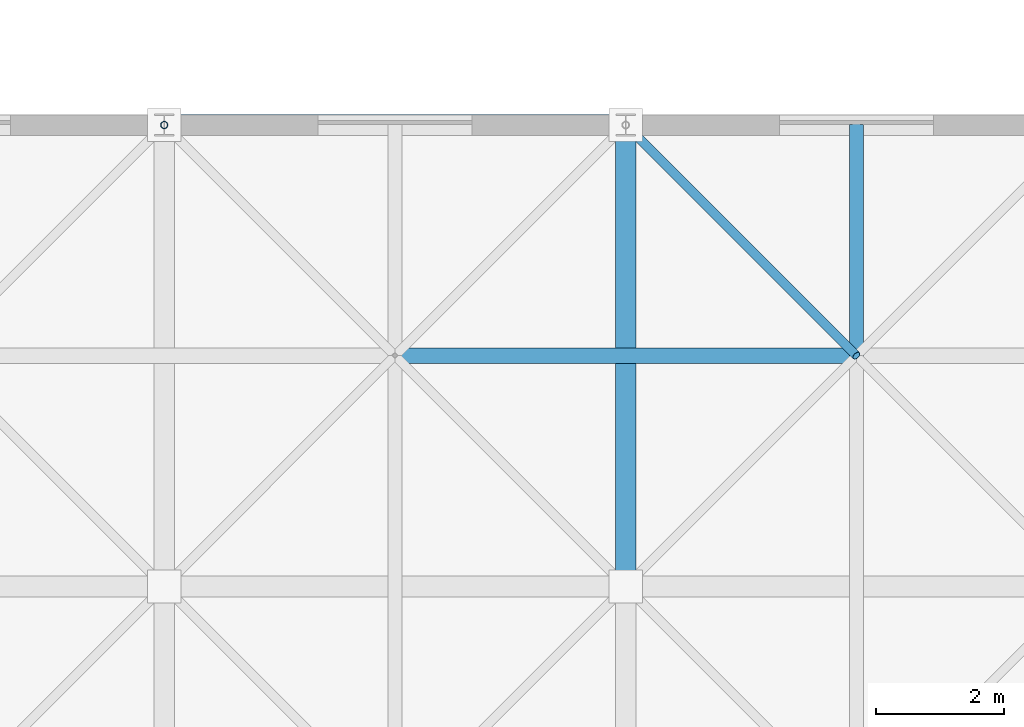
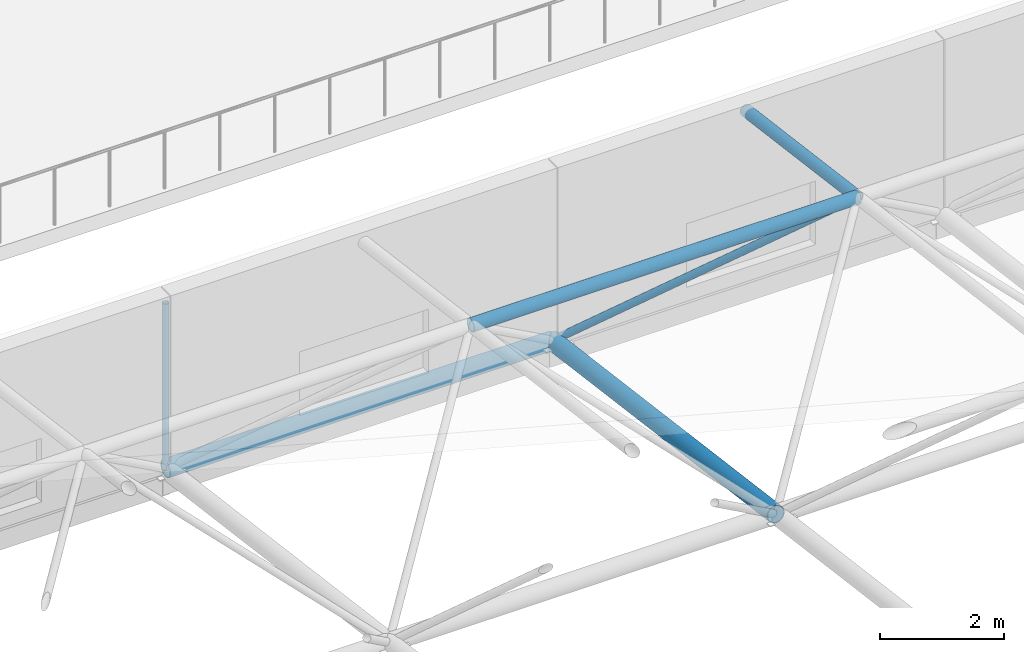
# One storey, part 57 of 103: 6 members.
"""IFC4 building model written with IfcOpenShell, lengths in metres."""

from ifc_helpers import new_model, si_unit, direction, frame, origin, origin_2d, place, context, subcontext, project, spatial, hollow_circle, extrude, material, material_profile, profile_set, type_object, element, save


model = new_model("IFC4")

# Units and contexts
model_context = context("Model", 3, precision=1e-05, world=origin(), true_north=direction((0.0, 1.0)))
body_context = subcontext(model_context, "Body", "Model", "MODEL_VIEW")
ifc_project = project(units=[si_unit("LENGTHUNIT", "METRE"), si_unit("AREAUNIT", "SQUARE_METRE"), si_unit("VOLUMEUNIT", "CUBIC_METRE"), si_unit("PLANEANGLEUNIT", "RADIAN"), si_unit("MASSUNIT", "GRAM", prefix="KILO")], contexts=[model_context])

# Site, building, storey
site_placement = place(None, origin())
site = spatial("IfcSite", under=ifc_project, at=site_placement, CompositionType="ELEMENT")
building_placement = place(site_placement, origin())
building = spatial("IfcBuilding", under=site, at=building_placement, Name="Thalmaran Polytechnic", CompositionType="ELEMENT")
storey_placement = place(building_placement, frame((0.0, 0.0, 14.39990234375)))
storey = spatial("IfcBuildingStorey", under=building, at=storey_placement, Name="L03", CompositionType="ELEMENT", Elevation=14.39990234375)

# Members
ifc_material = material(Name="Steel S355", Category="steel")
ifc_material_profile_1 = material_profile(ifc_material, hollow_circle(Radius=0.161865234375, WallThickness=0.012451171875, at=origin_2d()), Name="CHS 323.9x12.5")
ifc_profile_set_1 = profile_set([ifc_material_profile_1], Name="Steel S355")
member_type_1 = type_object("IfcMemberType", Name="MB-SFC0", PredefinedType="CHORD", material=ifc_profile_set_1)
member_1_placement = place(storey_placement, frame((129.60009765625, 50.39990234375, 0.380126953125), z_axis=(1.0, 0.0, 0.0), x_axis=(0.0, 1.0, 0.0)))
element("IfcMember", 1, at=member_1_placement, inside=storey, type_object=member_type_1, Name="Space-Frame Bottom Chord X (3,8)", PredefinedType="CHORD", context=body_context, shape_type="SweptSolid", body=[
    extrude(hollow_circle(Radius=0.161865234375, WallThickness=0.012451171875, at=origin_2d()), origin(), (0.0, 0.0, 1.0), 7.199951171875),
])
ifc_material_profile_2 = material_profile(ifc_material, hollow_circle(Radius=0.122314453125, WallThickness=0.010009765625, at=origin_2d()), Name="CHS 244.5x10.0")
ifc_profile_set_2 = profile_set([ifc_material_profile_2], Name="Steel S355")
member_type_2 = type_object("IfcMemberType", Name="MB-SFC1", PredefinedType="CHORD", material=ifc_profile_set_2)
member_2_placement = place(storey_placement, frame((133.199951171875, 46.800048828125, 4.1240234375), z_axis=(1.0, 0.0, 0.0), x_axis=(0.0, 1.0, 0.0)))
element("IfcMember", 2, at=member_2_placement, inside=storey, type_object=member_type_2, Name="Space-Frame Top Chord X (4,8)", PredefinedType="CHORD", context=body_context, shape_type="SweptSolid", body=[
    extrude(hollow_circle(Radius=0.122314453125, WallThickness=0.010009765625, at=origin_2d()), origin(), (0.0, 0.0, 1.0), 7.199951171875),
])
ifc_material_profile_3 = material_profile(ifc_material, hollow_circle(Radius=0.109619140625, WallThickness=0.010009765625, at=origin_2d()), Name="CHS 219.1x10.0")
ifc_profile_set_3 = profile_set([ifc_material_profile_3], Name="Steel S355")
member_type_3 = type_object("IfcMemberType", Name="MB-SFC2", PredefinedType="CHORD", material=ifc_profile_set_3)
member_3_placement = place(storey_placement, frame((140.39990234375, 46.800048828125, 4.1240234375), z_axis=(0.0, 0.99144674145, -0.130511910828), x_axis=(-1.0, 0.0, 0.0)))
element("IfcMember", 3, at=member_3_placement, inside=storey, type_object=member_type_3, Name="Space-Frame Top Chord Y (5,8)", PredefinedType="CHORD", context=body_context, shape_type="SweptSolid", body=[
    extrude(hollow_circle(Radius=0.109619140625, WallThickness=0.010009765625, at=origin_2d()), origin(), (0.0, 0.0, 1.0), 3.630859375),
])
ifc_material_profile_4 = material_profile(ifc_material, hollow_circle(Radius=0.161865234375, WallThickness=0.012451171875, at=origin_2d()), Name="CHS 323.9x12.5")
ifc_profile_set_4 = profile_set([ifc_material_profile_4], Name="Steel S355")
member_type_4 = type_object("IfcMemberType", Name="MB-SFC4", PredefinedType="CHORD", material=ifc_profile_set_4)
member_4_placement = place(storey_placement, frame((136.800048828125, 43.199951171875, 1.327880859375), z_axis=(0.0, 0.991447314079, -0.130507560722), x_axis=(-1.0, 0.0, 0.0)))
element("IfcMember", 4, at=member_4_placement, inside=storey, type_object=member_type_4, Name="Space-Frame Bottom Chord Y (4,7)", PredefinedType="CHORD", context=body_context, shape_type="SweptSolid", body=[
    extrude(hollow_circle(Radius=0.161865234375, WallThickness=0.012451171875, at=origin_2d()), origin(), (0.0, 0.0, 1.0), 7.261962890625),
])
ifc_material_profile_5 = material_profile(ifc_material, hollow_circle(Radius=0.06982421875, WallThickness=0.008056640625, at=origin_2d()), Name="CHS 139.7x8.0")
ifc_profile_set_5 = profile_set([ifc_material_profile_5], Name="Steel S355")
member_type_5 = type_object("IfcMemberType", Name="MB-SFD2", PredefinedType="BRACE", material=ifc_profile_set_5)
member_5_placement = place(storey_placement, frame((136.800048828125, 50.39990234375, 0.380126953125), z_axis=(0.569652331509, -0.569652331509, 0.592446151488), x_axis=(0.707106781187, 0.707106781187, 0.0)))
element("IfcMember", 5, at=member_5_placement, inside=storey, type_object=member_type_5, Name="Space-Frame Web Diagonal (4,7)-3", PredefinedType="BRACE", context=body_context, shape_type="SweptSolid", body=[
    extrude(hollow_circle(Radius=0.06982421875, WallThickness=0.008056640625, at=origin_2d()), origin(), (0.0, 0.0, 1.0), 6.3193359375),
])
ifc_material_profile_6 = material_profile(ifc_material, hollow_circle(Radius=0.05712890625, WallThickness=0.00634765625, at=origin_2d()), Name="CHS 114.3x6.3")
ifc_profile_set_6 = profile_set([ifc_material_profile_6], Name="Steel S355")
member_type_6 = type_object("IfcMemberType", Name="MB-SFD3", PredefinedType="BRACE", material=ifc_profile_set_6)
member_6_placement = place(storey_placement, frame((129.60009765625, 50.39990234375, 0.380126953125), z_axis=(0.0, 0.0, 1.0), x_axis=(1.0, 0.0, 0.0)))
element("IfcMember", 6, at=member_6_placement, inside=storey, type_object=member_type_6, Name="Space-Frame Eave Post (3,8)", PredefinedType="BRACE", context=body_context, shape_type="SweptSolid", body=[
    extrude(hollow_circle(Radius=0.05712890625, WallThickness=0.00634765625, at=origin_2d()), origin(), (0.0, 0.0, 1.0), 3.27001953125),
])

save(model, "model.ifc")
